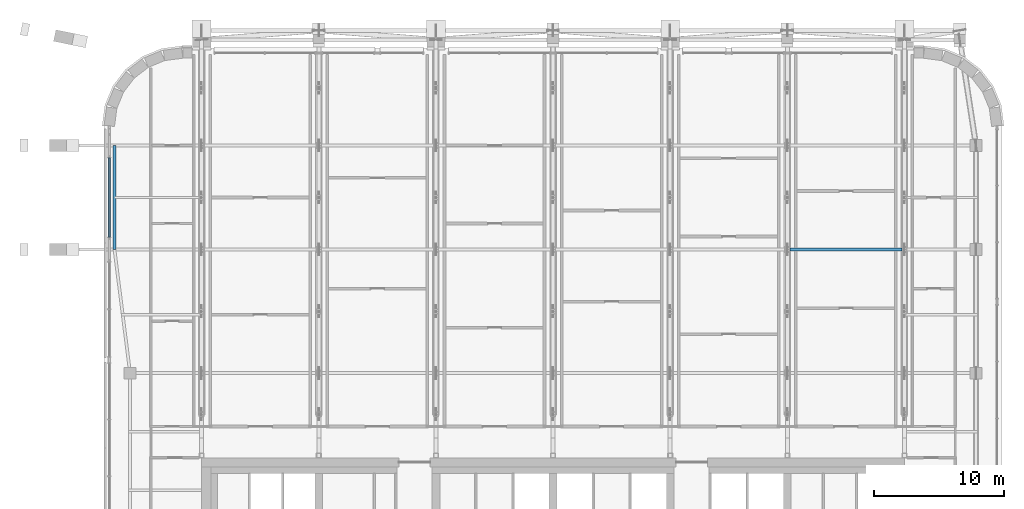
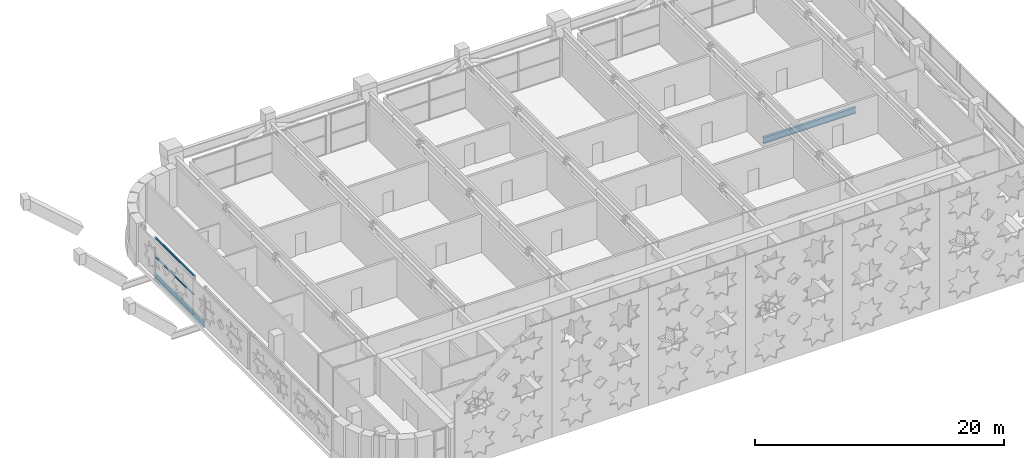
# One storey, part 7 of 26: 3 members, 2 beams, 1 element without a shape of its own.
"""IFC4 building model written with IfcOpenShell, lengths in metres."""

from ifc_helpers import new_model, si_unit, direction, frame, origin, origin_2d, place, context, subcontext, project, spatial, rectangle, i_section, extrude, material, material_profile, profile_set, type_object, element, aggregate, save


model = new_model("IFC4")

# Units and contexts
model_context = context("Model", 3, precision=1e-05, world=origin(), true_north=direction((0.0, 1.0)))
body_context = subcontext(model_context, "Body", "Model", "MODEL_VIEW")
ifc_project = project(units=[si_unit("LENGTHUNIT", "METRE"), si_unit("AREAUNIT", "SQUARE_METRE"), si_unit("VOLUMEUNIT", "CUBIC_METRE"), si_unit("PLANEANGLEUNIT", "RADIAN"), si_unit("MASSUNIT", "GRAM", prefix="KILO")], contexts=[model_context])

# Site, building, storey
site_placement = place(None, origin())
site = spatial("IfcSite", under=ifc_project, at=site_placement, CompositionType="ELEMENT")
building_placement = place(site_placement, origin())
building = spatial("IfcBuilding", under=site, at=building_placement, Name="Zellij Exchange Tower", CompositionType="ELEMENT")
storey_placement = place(building_placement, frame((0.0, 0.0, 216.5)))
storey = spatial("IfcBuildingStorey", under=building, at=storey_placement, Name="L50", CompositionType="ELEMENT", Elevation=216.5)

# Curtain wall, members
ifc_material_1 = material(Name="Aluminium frame, clear insulating glass", Category="aluminium")
curtain_wall_type = type_object("IfcCurtainWallType", Name="ENV-CW2 Outrigger-storey glazing", PredefinedType="NOTDEFINED", material=ifc_material_1)
curtain_wall_placement = place(storey_placement, origin())
curtain_wall = element("IfcCurtainWall", 1, at=curtain_wall_placement, inside=storey, type_object=curtain_wall_type, Name="cw.L50.21a.a", PredefinedType="NOTDEFINED")
ifc_material_2 = material(Name="Aluminium", Category="aluminium")
ifc_material_profile_1 = material_profile(ifc_material_2, rectangle(XDim=0.139892578125, YDim=0.06005859375, at=origin_2d()), Name="AL 140x60")
ifc_profile_set_1 = profile_set([ifc_material_profile_1], Name="Aluminium")
member_type = type_object("IfcMemberType", Name="ENV-CW2T Transom 140x60", PredefinedType="USERDEFINED", material=ifc_profile_set_1)
member_1_placement = place(storey_placement, frame((-34.10009765625, 21.0400390625, 0.030029296875), z_axis=(0.0, -1.0, 0.0), x_axis=(1.0, 0.0, 0.0)))
member_1 = element("IfcMember", 2, at=member_1_placement, type_object=member_type, Name="CW2 transom 1.1", ObjectType="TRANSOM", PredefinedType="USERDEFINED", context=body_context, shape_type="SweptSolid", body=[
    extrude(rectangle(XDim=0.139892578125, YDim=0.06005859375, at=origin_2d()), origin(), (0.0, 0.0, 1.0), 6.080078125),
])
member_2_placement = place(storey_placement, frame((-34.10009765625, 21.0400390625, 1.89990234375), z_axis=(0.0, -1.0, 0.0), x_axis=(1.0, 0.0, 0.0)))
member_2 = element("IfcMember", 3, at=member_2_placement, type_object=member_type, Name="CW2 transom 1.2", ObjectType="TRANSOM", PredefinedType="USERDEFINED", context=body_context, shape_type="SweptSolid", body=[
    extrude(rectangle(XDim=0.139892578125, YDim=0.06005859375, at=origin_2d()), origin(), (0.0, 0.0, 1.0), 6.080078125),
])
member_3_placement = place(storey_placement, frame((-34.10009765625, 21.0400390625, 3.77001953125), z_axis=(0.0, -1.0, 0.0), x_axis=(1.0, 0.0, 0.0)))
member_3 = element("IfcMember", 4, at=member_3_placement, type_object=member_type, Name="CW2 transom 1.3", ObjectType="TRANSOM", PredefinedType="USERDEFINED", context=body_context, shape_type="SweptSolid", body=[
    extrude(rectangle(XDim=0.139892578125, YDim=0.06005859375, at=origin_2d()), origin(), (0.0, 0.0, 1.0), 6.080078125),
])
aggregate(curtain_wall, [member_1, member_2, member_3])

# Beams
ifc_material_3 = material(Name="Structural steel ASTM A992 Gr 50", Category="steel")
ifc_material_profile_2 = material_profile(ifc_material_3, i_section(OverallWidth=0.209228515625, OverallDepth=0.533447265625, WebThickness=0.01025390625, FlangeThickness=0.015625, at=origin_2d()), Name="W21x62")
ifc_profile_set_2 = profile_set([ifc_material_profile_2], Name="Structural steel ASTM A992 Gr 50")
beam_type_1 = type_object("IfcBeamType", Name="STR-EDGE GIRDER W21x62", PredefinedType="BEAM", material=ifc_profile_set_2)
beam_1_placement = place(storey_placement, frame((-33.699951171875, 14.0, -0.61669921875), z_axis=(0.0, 1.0, 0.0), x_axis=(-1.0, 0.0, 0.0)))
element("IfcBeam", 5, at=beam_1_placement, inside=storey, type_object=beam_type_1, Name="EB3", PredefinedType="BEAM", context=body_context, shape_type="SweptSolid", body=[
    extrude(i_section(OverallWidth=0.209228515625, OverallDepth=0.533447265625, WebThickness=0.01025390625, FlangeThickness=0.015625, at=origin_2d()), origin(), (0.0, 0.0, 1.0), 8.0),
])
ifc_material_profile_3 = material_profile(ifc_material_3, i_section(OverallWidth=0.228271484375, OverallDepth=0.607177734375, WebThickness=0.01123046875, FlangeThickness=0.017333984375, at=origin_2d()), Name="W24x76")
ifc_profile_set_3 = profile_set([ifc_material_profile_3], Name="Structural steel ASTM A992 Gr 50")
beam_type_2 = type_object("IfcBeamType", Name="STR-GIRDER W24x76", PredefinedType="BEAM", material=ifc_profile_set_3)
beam_2_placement = place(storey_placement, frame((18.20458984375, 14.0, -0.653564453125), z_axis=(1.0, 0.0, 0.0), x_axis=(0.0, 1.0, 0.0)))
element("IfcBeam", 6, at=beam_2_placement, inside=storey, type_object=beam_type_2, Name="G2", PredefinedType="BEAM", context=body_context, shape_type="SweptSolid", body=[
    extrude(i_section(OverallWidth=0.228271484375, OverallDepth=0.607177734375, WebThickness=0.01123046875, FlangeThickness=0.017333984375, at=origin_2d()), origin(), (0.0, 0.0, 1.0), 8.5908203125),
])

save(model, "model.ifc")
